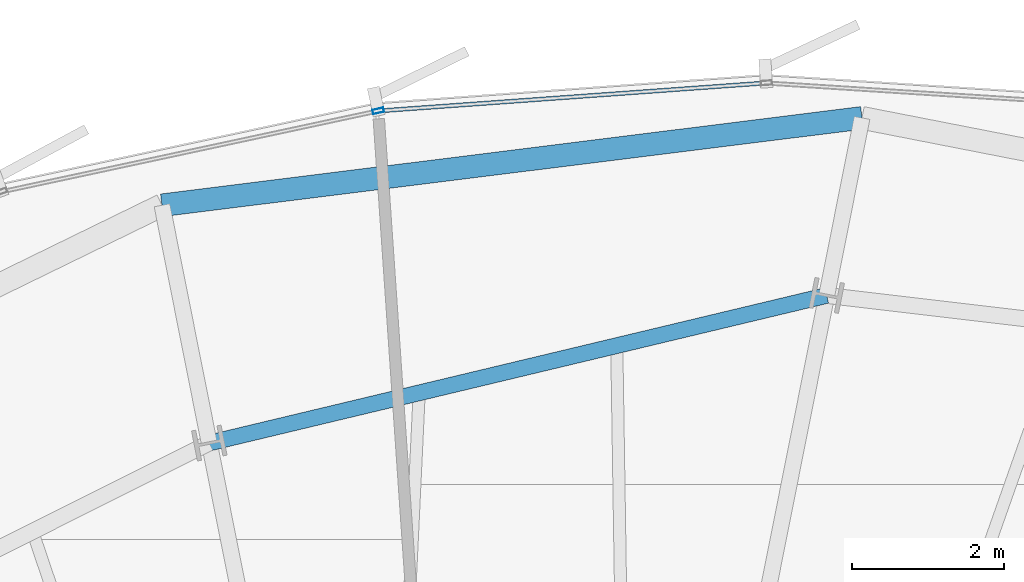
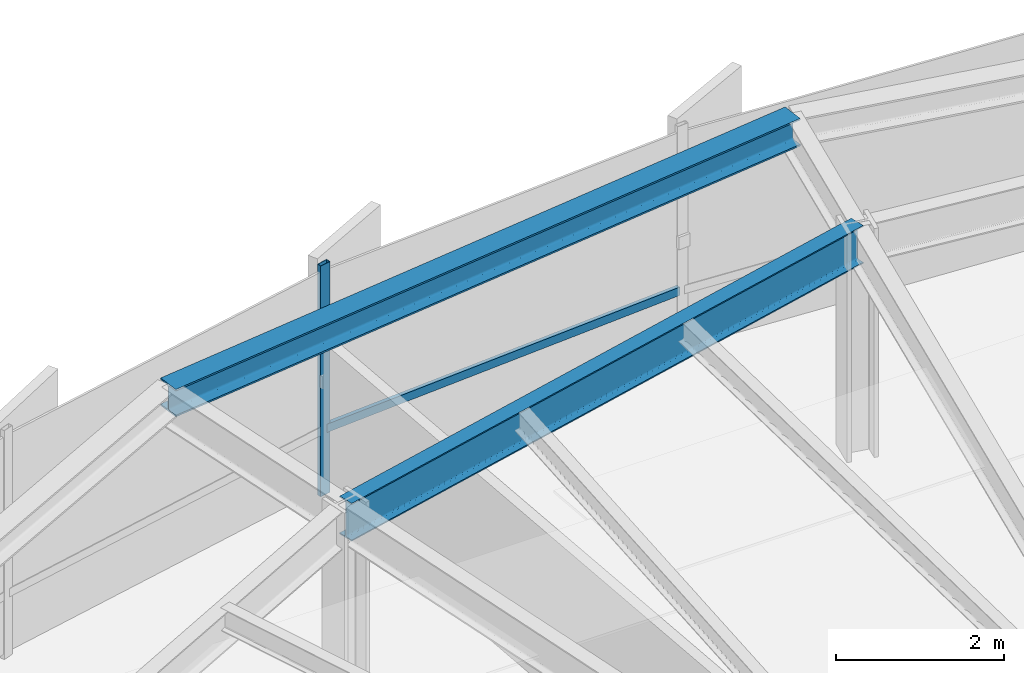
# One storey, part 22 of 35: 2 beams, 2 members, 1 element without a shape of its own.
"""IFC4 building model written with IfcOpenShell, lengths in metres."""

from ifc_helpers import new_model, si_unit, direction, frame, origin, origin_2d, place, context, subcontext, project, spatial, hollow_rectangle, i_section, extrude, source, transform, mapped, material, layer, layer_set, material_profile, profile_set, type_object, element, aggregate, save


model = new_model("IFC4")

# Units and contexts
model_context = context("Model", 3, precision=1e-05, world=origin(), true_north=direction((0.0, 1.0)))
body_context = subcontext(model_context, "Body", "Model", "MODEL_VIEW")
ifc_project = project(units=[si_unit("LENGTHUNIT", "METRE"), si_unit("AREAUNIT", "SQUARE_METRE"), si_unit("VOLUMEUNIT", "CUBIC_METRE"), si_unit("PLANEANGLEUNIT", "RADIAN"), si_unit("MASSUNIT", "GRAM", prefix="KILO"), si_unit("THERMODYNAMICTEMPERATUREUNIT", "KELVIN")], contexts=[model_context])

# Site, building, storey
site_placement = place(None, origin())
site = spatial("IfcSite", under=ifc_project, at=site_placement, CompositionType="ELEMENT")
building_placement = place(site_placement, origin())
building = spatial("IfcBuilding", under=site, at=building_placement, Name="Kethvar Cultural Tower", CompositionType="ELEMENT")
storey_placement = place(building_placement, frame((0.0, 0.0, 100.0)))
storey = spatial("IfcBuildingStorey", under=building, at=storey_placement, Name="L24", CompositionType="ELEMENT", Elevation=100.0)

# Beams
ifc_material_1 = material(Name="Steel S355J2", Category="steel")
ifc_material_profile_1 = material_profile(ifc_material_1, i_section(OverallWidth=0.2099609375, OverallDepth=0.550048828125, WebThickness=0.010986328125, FlangeThickness=0.01708984375, FilletRadius=0.02392578125, at=origin_2d()), Name="Steel S355J2 — IPE550")
ifc_profile_set_1 = profile_set([ifc_material_profile_1], Name="Steel S355J2 — IPE550")
beam_type_1 = type_object("IfcBeamType", Name="BM-IPE550", PredefinedType="BEAM", material=ifc_profile_set_1)
shared_shape_1 = source(origin(), body_context, "Body", "SweptSolid", [
    extrude(i_section(OverallWidth=0.2099609375, OverallDepth=0.550048828125, WebThickness=0.010986328125, FlangeThickness=0.01708984375, FilletRadius=0.02392578125, at=origin_2d()), origin(), (0.0, 0.0, 1.0), 8.379150390625),
])
beam_1_placement = place(storey_placement, frame((51.068603515625, 49.25927734375, 3.072998046875), z_axis=(-0.972601380857, -0.232479147355, 0.0), x_axis=(0.232479147355, -0.972601380857, 0.0)))
element("IfcBeam", 1, at=beam_1_placement, inside=storey, type_object=beam_type_1, Name="L24 Column Ring Tie Beam CR-04", PredefinedType="BEAM", context=body_context, shape_type="MappedRepresentation", body=[
    mapped(shared_shape_1, transform((0.0, 0.0, 0.0), scale=1.0)),
])
ifc_material_profile_2 = material_profile(ifc_material_1, i_section(OverallWidth=0.300048828125, OverallDepth=0.39990234375, WebThickness=0.013427734375, FlangeThickness=0.02392578125, FilletRadius=0.027099609375, at=origin_2d()), Name="Steel S355J2 — HEB400")
ifc_profile_set_2 = profile_set([ifc_material_profile_2], Name="Steel S355J2 — HEB400")
beam_type_2 = type_object("IfcBeamType", Name="BM-SP400", PredefinedType="SPANDREL", material=ifc_profile_set_2)
shared_shape_2 = source(origin(), body_context, "Body", "SweptSolid", [
    extrude(i_section(OverallWidth=0.300048828125, OverallDepth=0.39990234375, WebThickness=0.013427734375, FlangeThickness=0.02392578125, FilletRadius=0.027099609375, at=origin_2d()), origin(), (0.0, 0.0, 1.0), 9.3115234375),
])
beam_2_placement = place(storey_placement, frame((51.53466796875, 51.6025390625, 3.14794921875), z_axis=(-0.992306489363, -0.123805618484, 0.0), x_axis=(0.123805618484, -0.992306489363, 0.0)))
element("IfcBeam", 2, at=beam_2_placement, inside=storey, type_object=beam_type_2, Name="L24 Perimeter Spandrel Beam SP-04", PredefinedType="SPANDREL", context=body_context, shape_type="MappedRepresentation", body=[
    mapped(shared_shape_2, transform((0.0, 0.0, 0.0), scale=1.0)),
])

# Curtain wall, members
ifc_material_2 = material(Name="Aluminium 6063-T6", Category="aluminium")
ifc_layer = layer(ifc_material_2, 0.179931640625, Name="Aluminium 6063-T6", Category="aluminium")
ifc_layer_set = layer_set([ifc_layer], Name="Aluminium 6063-T6 (180 mm)")
curtain_wall_type = type_object("IfcCurtainWallType", Name="CW-SYS-03-Z2", PredefinedType="NOTDEFINED", material=ifc_layer_set)
curtain_wall_placement = place(storey_placement, origin())
curtain_wall = element("IfcCurtainWall", 3, at=curtain_wall_placement, inside=storey, type_object=curtain_wall_type, Name="L24 Curtain Wall Run 02", PredefinedType="NOTDEFINED")
ifc_material_profile_3 = material_profile(ifc_material_2, hollow_rectangle(XDim=0.06005859375, YDim=0.14990234375, WallThickness=0.0048828125, at=origin_2d()), Name="Aluminium 6063-T6 — RHS150x60x5")
ifc_profile_set_3 = profile_set([ifc_material_profile_3], Name="Aluminium 6063-T6 — RHS150x60x5")
member_type_1 = type_object("IfcMemberType", Name="CW-SYS-03-Z2-MUL", PredefinedType="MULLION", material=ifc_profile_set_3)
shared_shape_3 = source(origin(), body_context, "Body", "SweptSolid", [
    extrude(hollow_rectangle(XDim=0.06005859375, YDim=0.14990234375, WallThickness=0.0048828125, at=origin_2d()), origin(), (0.0, 0.0, 1.0), 3.35009765625),
])
member_1_placement = place(storey_placement, frame((45.149169921875, 51.6953125, 0.0), z_axis=(0.0, 0.0, 1.0), x_axis=(0.209993989253, -0.977702676931, 0.0)))
member_1 = element("IfcMember", 4, at=member_1_placement, type_object=member_type_1, Name="CW-L24-R02 Mullion 3", PredefinedType="MULLION", context=body_context, shape_type="MappedRepresentation", body=[
    mapped(shared_shape_3, transform((0.0, 0.0, 0.0), scale=1.0)),
])
ifc_material_profile_4 = material_profile(ifc_material_2, hollow_rectangle(XDim=0.054931640625, YDim=0.1201171875, WallThickness=0.00390625, at=origin_2d()), Name="Aluminium 6063-T6 — RHS120x55x4")
ifc_profile_set_4 = profile_set([ifc_material_profile_4], Name="Aluminium 6063-T6 — RHS120x55x4")
member_type_2 = type_object("IfcMemberType", Name="CW-SYS-03-Z2-TRN", PredefinedType="USERDEFINED", material=ifc_profile_set_4)
shared_shape_4 = source(origin(), body_context, "Body", "SweptSolid", [
    extrude(hollow_rectangle(XDim=0.054931640625, YDim=0.1201171875, WallThickness=0.00390625, at=origin_2d()), origin(), (0.0, 0.0, 1.0), 5.067138671875),
])
member_2_placement = place(storey_placement, frame((50.23046875, 52.06103515625, 0.949951171875), z_axis=(-0.997402383857, -0.072031136847, 0.0), x_axis=(0.072031136847, -0.997402383857, 0.0)))
member_2 = element("IfcMember", 5, at=member_2_placement, type_object=member_type_2, Name="CW-L24-R02 Transom 2", ObjectType="TRANSOM", PredefinedType="USERDEFINED", context=body_context, shape_type="MappedRepresentation", body=[
    mapped(shared_shape_4, transform((0.0, 0.0, 0.0), scale=1.0)),
])
aggregate(curtain_wall, [member_1, member_2])

save(model, "model.ifc")
